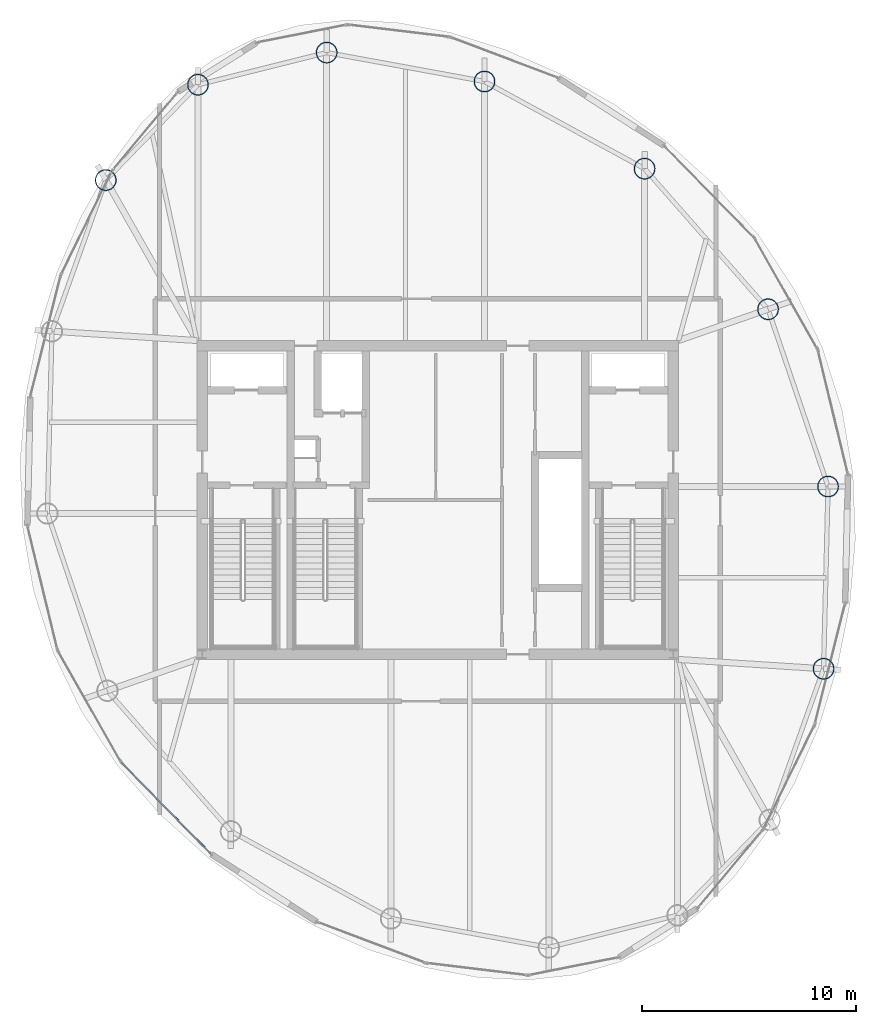
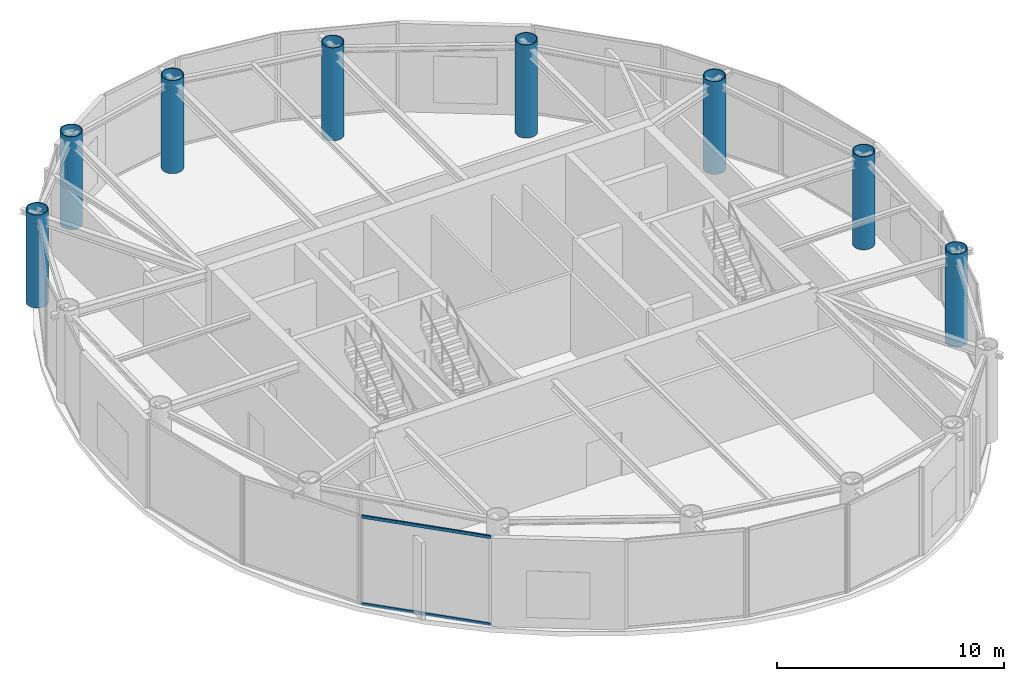
# One storey, part 2 of 23: 8 columns, 2 members, 1 element without a shape of its own.
"""IFC4 building model written with IfcOpenShell, lengths in metres."""

from ifc_helpers import new_model, si_unit, direction, frame, origin, origin_2d, place, context, subcontext, project, spatial, hollow_rectangle, hollow_circle, extrude, material, layer, layer_set, material_profile, profile_set, type_object, element, aggregate, save


model = new_model("IFC4")

# Units and contexts
model_context = context("Model", 3, precision=1e-05, world=origin(), true_north=direction((0.0, 1.0)))
body_context = subcontext(model_context, "Body", "Model", "MODEL_VIEW")
ifc_project = project(units=[si_unit("LENGTHUNIT", "METRE"), si_unit("AREAUNIT", "SQUARE_METRE"), si_unit("VOLUMEUNIT", "CUBIC_METRE"), si_unit("PLANEANGLEUNIT", "RADIAN"), si_unit("MASSUNIT", "GRAM", prefix="KILO")], contexts=[model_context])

# Site, building, storey
site_placement = place(None, origin())
site = spatial("IfcSite", under=ifc_project, at=site_placement, CompositionType="ELEMENT")
building_placement = place(site_placement, origin())
building = spatial("IfcBuilding", under=site, at=building_placement, Name="Bramvorn Convention Spire", CompositionType="ELEMENT")
storey_placement = place(building_placement, frame((0.0, 0.0, 307.5)))
storey = spatial("IfcBuildingStorey", under=building, at=storey_placement, Name="L78", CompositionType="ELEMENT", Elevation=307.5)

# Columns
ifc_material_1 = material(Name="Steel CSA G40.21 Grade 350 (350W)", Category="steel")
ifc_material_profile_1 = material_profile(ifc_material_1, hollow_circle(Radius=0.5, WallThickness=0.044921875, at=origin_2d()))
ifc_profile_set_1 = profile_set([ifc_material_profile_1], Name="Steel CSA G40.21 Grade 350 (350W) - CFT1000X45")
column_type = type_object("IfcColumnType", Name="COL-CFT1000X45", PredefinedType="COLUMN", material=ifc_profile_set_1)
for number, where, z_axis, x_axis, name in (
    (1, (56.023681640625, 18.116455078125, 0.0), (0.0, 0.0, 1.0), (1.0, 0.0, 0.0), "L78 composite CFT mega-column MC03"),
    (2, (56.234619140625, 26.62939453125, 0.0), (0.0, 0.0, 1.0), (1.0, 0.0, 0.0), "L78 composite CFT mega-column MC04"),
    (3, (53.4326171875, 34.909912109375, 0.0), (0.0, 0.0, 1.0), (1.0, 0.0, 0.0), "L78 composite CFT mega-column MC05"),
    (4, (47.662353515625, 41.476806640625, 0.0), (0.0, 0.0, 1.0), (1.0, 0.0, 0.0), "L78 composite CFT mega-column MC06"),
    (5, (40.1845703125, 45.55078125, 0.0), (0.0, 0.0, 1.0), (1.0, 0.0, 0.0), "L78 composite CFT mega-column MC07"),
    (6, (32.8115234375, 46.90087890625, 0.0), (0.0, 0.0, 1.0), (1.0, 0.0, 0.0), "L78 composite CFT mega-column MC08"),
    (7, (26.800048828125, 45.39892578125, 0.0), (0.0, 0.0, 1.0), (1.0, 0.0, 0.0), "L78 composite CFT mega-column MC09"),
    (8, (22.49365234375, 40.94384765625, 0.0), (0.0, 0.0, 1.0), (1.0, 0.0, 0.0), "L78 composite CFT mega-column MC10"),
):
    element("IfcColumn", number, at=place(storey_placement, frame(where, z_axis=z_axis, x_axis=x_axis)), inside=storey, type_object=column_type, Name=name, PredefinedType="COLUMN", context=body_context, shape_type="SweptSolid", body=[
        extrude(hollow_circle(Radius=0.5, WallThickness=0.044921875, at=origin_2d()), origin(), (0.0, 0.0, 1.0), 5.0),
    ])

# Curtain wall, members
ifc_material_2 = material(Name="Anodised Bronze Unitised Curtain Wall", Category="aluminium")
ifc_layer = layer(ifc_material_2, 0.199951171875)
ifc_layer_set = layer_set([ifc_layer], Name="Anodised Bronze Unitised Curtain Wall - CW-PLANT-LOUVRE")
curtain_wall_type = type_object("IfcCurtainWallType", Name="CW-PLANT-LOUVRE", PredefinedType="USERDEFINED", material=ifc_layer_set)
curtain_wall_placement = place(storey_placement, origin())
curtain_wall = element("IfcCurtainWall", 9, at=curtain_wall_placement, inside=storey, type_object=curtain_wall_type, Name="L78 fritted glass curtain wall 20", ObjectType="UNITISED CURTAIN WALL", PredefinedType="USERDEFINED")
ifc_material_3 = material(Name="Anodised Bronze Aluminium 6063-T6", Category="aluminium")
ifc_material_profile_2 = material_profile(ifc_material_3, hollow_rectangle(XDim=0.080078125, YDim=0.159912109375, WallThickness=0.00390625, InnerFilletRadius=0.0009765625, OuterFilletRadius=0.00390625, at=origin_2d()))
ifc_profile_set_2 = profile_set([ifc_material_profile_2], Name="Anodised Bronze Aluminium 6063-T6 - CWT80X160")
member_type = type_object("IfcMemberType", Name="CW-TRN-150", PredefinedType="USERDEFINED", material=ifc_profile_set_2)
member_1_placement = place(storey_placement, frame((27.382080078125, 9.497802734375, 0.030029296875), z_axis=(-0.700428259841, 0.713722812313, 0.0), x_axis=(-0.713722812313, -0.700428259841, 0.0)))
member_1 = element("IfcMember", 10, at=member_1_placement, type_object=member_type, Name="CW5 transom 1.1", ObjectType="TRANSOM", PredefinedType="USERDEFINED", context=body_context, shape_type="SweptSolid", body=[
    extrude(hollow_rectangle(XDim=0.080078125, YDim=0.159912109375, WallThickness=0.00390625, InnerFilletRadius=0.0009765625, OuterFilletRadius=0.00390625, at=origin_2d()), origin(), (0.0, 0.0, 1.0), 5.894775390625),
])
member_2_placement = place(storey_placement, frame((27.382080078125, 9.497802734375, 4.719970703125), z_axis=(-0.700428259841, 0.713722812313, 0.0), x_axis=(-0.713722812313, -0.700428259841, 0.0)))
member_2 = element("IfcMember", 11, at=member_2_placement, type_object=member_type, Name="CW5 transom 1.2", ObjectType="TRANSOM", PredefinedType="USERDEFINED", context=body_context, shape_type="SweptSolid", body=[
    extrude(hollow_rectangle(XDim=0.080078125, YDim=0.159912109375, WallThickness=0.00390625, InnerFilletRadius=0.0009765625, OuterFilletRadius=0.00390625, at=origin_2d()), origin(), (0.0, 0.0, 1.0), 5.894775390625),
])
aggregate(curtain_wall, [member_1, member_2])

save(model, "model.ifc")
